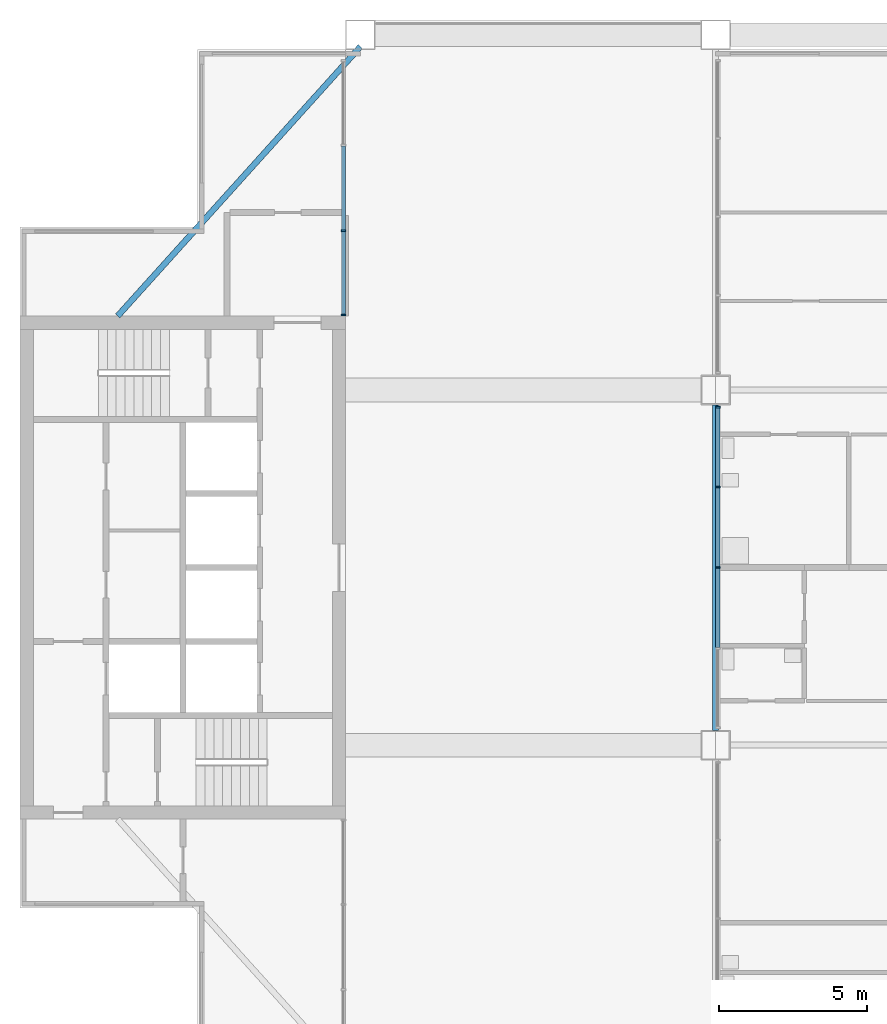
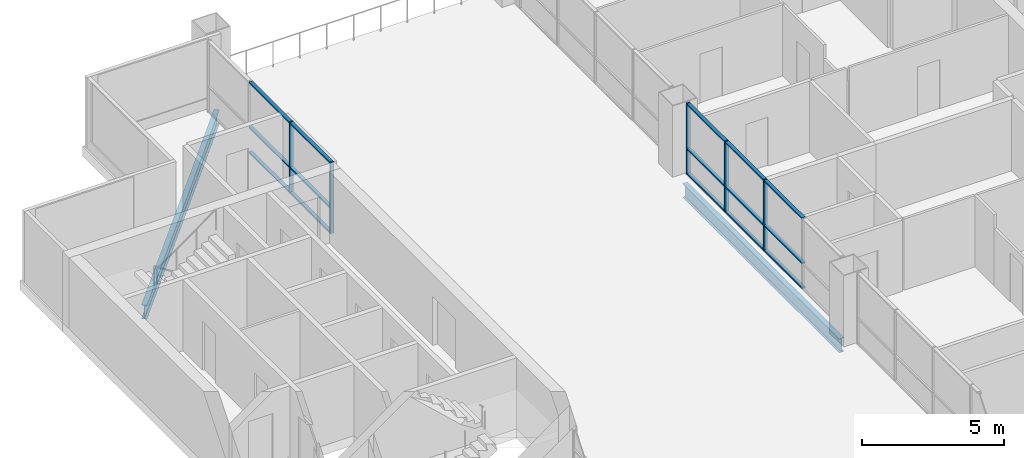
# One storey, part 3 of 12: 20 members, 2 beams, 2 elements without a shape of their own.
"""IFC4 building model written with IfcOpenShell, lengths in metres."""

from ifc_helpers import new_model, si_unit, direction, frame, origin, origin_2d, place, context, subcontext, project, spatial, rectangle, i_section, extrude, material, material_profile, profile_set, type_object, element, aggregate, save


model = new_model("IFC4")

# Units and contexts
model_context = context("Model", 3, precision=1e-05, world=origin(), true_north=direction((0.0, 1.0)))
body_context = subcontext(model_context, "Body", "Model", "MODEL_VIEW")
ifc_project = project(units=[si_unit("LENGTHUNIT", "METRE"), si_unit("AREAUNIT", "SQUARE_METRE"), si_unit("VOLUMEUNIT", "CUBIC_METRE"), si_unit("PLANEANGLEUNIT", "RADIAN"), si_unit("MASSUNIT", "GRAM", prefix="KILO")], contexts=[model_context])

# Site, building, storey
site_placement = place(None, origin())
site = spatial("IfcSite", under=ifc_project, at=site_placement, CompositionType="ELEMENT")
building_placement = place(site_placement, origin())
building = spatial("IfcBuilding", under=site, at=building_placement, Name="Kitamizu Gate Tower and Museum", CompositionType="ELEMENT")
storey_placement = place(building_placement, frame((0.0, 0.0, 249.0)))
storey = spatial("IfcBuildingStorey", under=building, at=storey_placement, Name="L67", CompositionType="ELEMENT", Elevation=249.0)

# Beams
ifc_material_1 = material(Name="Steel SM490A", Category="steel")
ifc_material_profile_1 = material_profile(ifc_material_1, i_section(OverallWidth=0.199951171875, OverallDepth=0.60009765625, WebThickness=0.010986328125, FlangeThickness=0.01708984375, FilletRadius=0.02197265625, at=origin_2d()), Name="H-600x200x11x17")
ifc_profile_set_1 = profile_set([ifc_material_profile_1], Name="Steel SM490A")
beam_type = type_object("IfcBeamType", Name="Floor girder FG1 H 600x200x11x17", PredefinedType="BEAM", material=ifc_profile_set_1)
beam_1_placement = place(storey_placement, frame((36.0, 24.5, -0.699951171875), z_axis=(0.0, 1.0, 0.0), x_axis=(-1.0, 0.0, 0.0)))
element("IfcBeam", 1, at=beam_1_placement, inside=storey, type_object=beam_type, Name="Floor girder FG1 x36 L67", PredefinedType="BEAM", context=body_context, shape_type="SweptSolid", body=[
    extrude(i_section(OverallWidth=0.199951171875, OverallDepth=0.60009765625, WebThickness=0.010986328125, FlangeThickness=0.01708984375, FilletRadius=0.02197265625, at=origin_2d()), origin(), (0.0, 0.0, 1.0), 11.0),
])
beam_2_placement = place(storey_placement, frame((24.0, 47.60009765625, -0.699951171875), z_axis=(-0.669409471884, -0.742893639057, 0.0), x_axis=(0.742893639057, -0.669409471884, 0.0)))
element("IfcBeam", 2, at=beam_2_placement, inside=storey, type_object=beam_type, Name="Portal flank girder N L67", PredefinedType="BEAM", context=body_context, shape_type="SweptSolid", body=[
    extrude(i_section(OverallWidth=0.199951171875, OverallDepth=0.60009765625, WebThickness=0.010986328125, FlangeThickness=0.01708984375, FilletRadius=0.02197265625, at=origin_2d()), origin(), (0.0, 0.0, 1.0), 12.24951171875),
])

# Curtain wall, members
ifc_material_2 = material(Name="Bronze anodised aluminium frame, tinted triple glazing", Category="aluminium")
curtain_wall_type = type_object("IfcCurtainWallType", Name="CURTAIN WALL TYPE C SKY AMENITY", PredefinedType="NOTDEFINED", material=ifc_material_2)
curtain_wall_1_placement = place(storey_placement, origin())
curtain_wall_1 = element("IfcCurtainWall", 3, at=curtain_wall_1_placement, inside=storey, type_object=curtain_wall_type, Name="Curtain wall CW-C portal W L67", PredefinedType="NOTDEFINED")
ifc_material_3 = material(Name="Bronze anodised aluminium", Category="aluminium")
ifc_material_profile_2 = material_profile(ifc_material_3, rectangle(XDim=0.06005859375, YDim=0.14990234375, at=origin_2d()), Name="AL 60X150")
ifc_profile_set_2 = profile_set([ifc_material_profile_2], Name="Bronze anodised aluminium")
member_type_1 = type_object("IfcMemberType", Name="MULLION 60 X 150 TYPE C", PredefinedType="MULLION", material=ifc_profile_set_2)
member_1_placement = place(storey_placement, frame((23.425048828125, 38.530029296875, 0.0), z_axis=(0.0, 0.0, 1.0), x_axis=(0.0, 1.0, 0.0)))
member_1 = element("IfcMember", 4, at=member_1_placement, type_object=member_type_1, Name="CW-C mullion 1", PredefinedType="MULLION", context=body_context, shape_type="SweptSolid", body=[
    extrude(rectangle(XDim=0.06005859375, YDim=0.14990234375, at=origin_2d()), origin(), (0.0, 0.0, 1.0), 3.050048828125),
])
member_2_placement = place(storey_placement, frame((23.425048828125, 41.38330078125, 0.0), z_axis=(0.0, 0.0, 1.0), x_axis=(0.0, 1.0, 0.0)))
member_2 = element("IfcMember", 5, at=member_2_placement, type_object=member_type_1, Name="CW-C mullion 2", PredefinedType="MULLION", context=body_context, shape_type="SweptSolid", body=[
    extrude(rectangle(XDim=0.06005859375, YDim=0.14990234375, at=origin_2d()), origin(), (0.0, 0.0, 1.0), 3.050048828125),
])

curtain_wall_2_placement = place(storey_placement, origin())
curtain_wall_2 = element("IfcCurtainWall", 6, at=curtain_wall_2_placement, inside=storey, type_object=curtain_wall_type, Name="Curtain wall CW-C portal E L67", PredefinedType="NOTDEFINED")
member_3_placement = place(storey_placement, frame((36.074951171875, 30.0, 0.0), z_axis=(0.0, 0.0, 1.0), x_axis=(0.0, 1.0, 0.0)))
member_3 = element("IfcMember", 7, at=member_3_placement, type_object=member_type_1, Name="CW-C mullion 3", PredefinedType="MULLION", context=body_context, shape_type="SweptSolid", body=[
    extrude(rectangle(XDim=0.06005859375, YDim=0.14990234375, at=origin_2d()), origin(), (0.0, 0.0, 1.0), 3.050048828125),
])
member_4_placement = place(storey_placement, frame((36.074951171875, 32.722412109375, 0.0), z_axis=(0.0, 0.0, 1.0), x_axis=(0.0, 1.0, 0.0)))
member_4 = element("IfcMember", 8, at=member_4_placement, type_object=member_type_1, Name="CW-C mullion 4", PredefinedType="MULLION", context=body_context, shape_type="SweptSolid", body=[
    extrude(rectangle(XDim=0.06005859375, YDim=0.14990234375, at=origin_2d()), origin(), (0.0, 0.0, 1.0), 3.050048828125),
])
member_5_placement = place(storey_placement, frame((36.074951171875, 35.4150390625, 0.0), z_axis=(0.0, 0.0, 1.0), x_axis=(0.0, 1.0, 0.0)))
member_5 = element("IfcMember", 9, at=member_5_placement, type_object=member_type_1, Name="CW-C mullion 5", PredefinedType="MULLION", context=body_context, shape_type="SweptSolid", body=[
    extrude(rectangle(XDim=0.06005859375, YDim=0.14990234375, at=origin_2d()), origin(), (0.0, 0.0, 1.0), 3.050048828125),
])

# Member
ifc_material_4 = material(Name="Bronze anodised aluminium", Category="aluminium")
ifc_material_profile_3 = material_profile(ifc_material_4, rectangle(XDim=0.139892578125, YDim=0.06005859375, at=origin_2d()), Name="AL 60X140")
ifc_profile_set_3 = profile_set([ifc_material_profile_3], Name="Bronze anodised aluminium")
member_type_2 = type_object("IfcMemberType", Name="TRANSOM 60 X 140 TYPE C", PredefinedType="USERDEFINED", material=ifc_profile_set_3)
member_6_placement = place(storey_placement, frame((23.425048828125, 38.56005859375, 0.030029296875), z_axis=(0.0, 1.0, 0.0), x_axis=(-1.0, 0.0, 0.0)))
member_6 = element("IfcMember", 10, at=member_6_placement, type_object=member_type_2, Name="CW-C transom 1.1", ObjectType="TRANSOM", PredefinedType="USERDEFINED", context=body_context, shape_type="SweptSolid", body=[
    extrude(rectangle(XDim=0.139892578125, YDim=0.06005859375, at=origin_2d()), origin(), (0.0, 0.0, 1.0), 2.793212890625),
])

member_7_placement = place(storey_placement, frame((23.425048828125, 38.56005859375, 1.10009765625), z_axis=(0.0, 1.0, 0.0), x_axis=(-1.0, 0.0, 0.0)))
member_7 = element("IfcMember", 11, at=member_7_placement, type_object=member_type_2, Name="CW-C transom 1.2", ObjectType="TRANSOM", PredefinedType="USERDEFINED", context=body_context, shape_type="SweptSolid", body=[
    extrude(rectangle(XDim=0.139892578125, YDim=0.06005859375, at=origin_2d()), origin(), (0.0, 0.0, 1.0), 2.793212890625),
])

member_8_placement = place(storey_placement, frame((23.425048828125, 38.56005859375, 3.02001953125), z_axis=(0.0, 1.0, 0.0), x_axis=(-1.0, 0.0, 0.0)))
member_8 = element("IfcMember", 12, at=member_8_placement, type_object=member_type_2, Name="CW-C transom 1.3", ObjectType="TRANSOM", PredefinedType="USERDEFINED", context=body_context, shape_type="SweptSolid", body=[
    extrude(rectangle(XDim=0.139892578125, YDim=0.06005859375, at=origin_2d()), origin(), (0.0, 0.0, 1.0), 2.793212890625),
])

member_9_placement = place(storey_placement, frame((23.425048828125, 41.413330078125, 0.030029296875), z_axis=(0.0, 1.0, 0.0), x_axis=(-1.0, 0.0, 0.0)))
member_9 = element("IfcMember", 13, at=member_9_placement, type_object=member_type_2, Name="CW-C transom 2.1", ObjectType="TRANSOM", PredefinedType="USERDEFINED", context=body_context, shape_type="SweptSolid", body=[
    extrude(rectangle(XDim=0.139892578125, YDim=0.06005859375, at=origin_2d()), origin(), (0.0, 0.0, 1.0), 2.8232421875),
])

member_10_placement = place(storey_placement, frame((23.425048828125, 41.413330078125, 1.10009765625), z_axis=(0.0, 1.0, 0.0), x_axis=(-1.0, 0.0, 0.0)))
member_10 = element("IfcMember", 14, at=member_10_placement, type_object=member_type_2, Name="CW-C transom 2.2", ObjectType="TRANSOM", PredefinedType="USERDEFINED", context=body_context, shape_type="SweptSolid", body=[
    extrude(rectangle(XDim=0.139892578125, YDim=0.06005859375, at=origin_2d()), origin(), (0.0, 0.0, 1.0), 2.8232421875),
])

member_11_placement = place(storey_placement, frame((23.425048828125, 41.413330078125, 3.02001953125), z_axis=(0.0, 1.0, 0.0), x_axis=(-1.0, 0.0, 0.0)))
member_11 = element("IfcMember", 15, at=member_11_placement, type_object=member_type_2, Name="CW-C transom 2.3", ObjectType="TRANSOM", PredefinedType="USERDEFINED", context=body_context, shape_type="SweptSolid", body=[
    extrude(rectangle(XDim=0.139892578125, YDim=0.06005859375, at=origin_2d()), origin(), (0.0, 0.0, 1.0), 2.8232421875),
])

aggregate(curtain_wall_1, [member_1, member_2, member_6, member_7, member_8, member_9, member_10, member_11])

member_12_placement = place(storey_placement, frame((36.074951171875, 27.3076171875, 0.030029296875), z_axis=(0.0, 1.0, 0.0), x_axis=(-1.0, 0.0, 0.0)))
member_12 = element("IfcMember", 16, at=member_12_placement, type_object=member_type_2, Name="CW-C transom 2.1", ObjectType="TRANSOM", PredefinedType="USERDEFINED", context=body_context, shape_type="SweptSolid", body=[
    extrude(rectangle(XDim=0.139892578125, YDim=0.06005859375, at=origin_2d()), origin(), (0.0, 0.0, 1.0), 2.662353515625),
])

member_13_placement = place(storey_placement, frame((36.074951171875, 27.3076171875, 1.10009765625), z_axis=(0.0, 1.0, 0.0), x_axis=(-1.0, 0.0, 0.0)))
member_13 = element("IfcMember", 17, at=member_13_placement, type_object=member_type_2, Name="CW-C transom 2.2", ObjectType="TRANSOM", PredefinedType="USERDEFINED", context=body_context, shape_type="SweptSolid", body=[
    extrude(rectangle(XDim=0.139892578125, YDim=0.06005859375, at=origin_2d()), origin(), (0.0, 0.0, 1.0), 2.662353515625),
])

member_14_placement = place(storey_placement, frame((36.074951171875, 27.3076171875, 3.02001953125), z_axis=(0.0, 1.0, 0.0), x_axis=(-1.0, 0.0, 0.0)))
member_14 = element("IfcMember", 18, at=member_14_placement, type_object=member_type_2, Name="CW-C transom 2.3", ObjectType="TRANSOM", PredefinedType="USERDEFINED", context=body_context, shape_type="SweptSolid", body=[
    extrude(rectangle(XDim=0.139892578125, YDim=0.06005859375, at=origin_2d()), origin(), (0.0, 0.0, 1.0), 2.662353515625),
])

member_15_placement = place(storey_placement, frame((36.074951171875, 30.030029296875, 0.030029296875), z_axis=(0.0, 1.0, 0.0), x_axis=(-1.0, 0.0, 0.0)))
member_15 = element("IfcMember", 19, at=member_15_placement, type_object=member_type_2, Name="CW-C transom 3.1", ObjectType="TRANSOM", PredefinedType="USERDEFINED", context=body_context, shape_type="SweptSolid", body=[
    extrude(rectangle(XDim=0.139892578125, YDim=0.06005859375, at=origin_2d()), origin(), (0.0, 0.0, 1.0), 2.662353515625),
])

member_16_placement = place(storey_placement, frame((36.074951171875, 30.030029296875, 1.10009765625), z_axis=(0.0, 1.0, 0.0), x_axis=(-1.0, 0.0, 0.0)))
member_16 = element("IfcMember", 20, at=member_16_placement, type_object=member_type_2, Name="CW-C transom 3.2", ObjectType="TRANSOM", PredefinedType="USERDEFINED", context=body_context, shape_type="SweptSolid", body=[
    extrude(rectangle(XDim=0.139892578125, YDim=0.06005859375, at=origin_2d()), origin(), (0.0, 0.0, 1.0), 2.662353515625),
])

member_17_placement = place(storey_placement, frame((36.074951171875, 30.030029296875, 3.02001953125), z_axis=(0.0, 1.0, 0.0), x_axis=(-1.0, 0.0, 0.0)))
member_17 = element("IfcMember", 21, at=member_17_placement, type_object=member_type_2, Name="CW-C transom 3.3", ObjectType="TRANSOM", PredefinedType="USERDEFINED", context=body_context, shape_type="SweptSolid", body=[
    extrude(rectangle(XDim=0.139892578125, YDim=0.06005859375, at=origin_2d()), origin(), (0.0, 0.0, 1.0), 2.662353515625),
])

member_18_placement = place(storey_placement, frame((36.074951171875, 32.75244140625, 0.030029296875), z_axis=(0.0, 1.0, 0.0), x_axis=(-1.0, 0.0, 0.0)))
member_18 = element("IfcMember", 22, at=member_18_placement, type_object=member_type_2, Name="CW-C transom 4.1", ObjectType="TRANSOM", PredefinedType="USERDEFINED", context=body_context, shape_type="SweptSolid", body=[
    extrude(rectangle(XDim=0.139892578125, YDim=0.06005859375, at=origin_2d()), origin(), (0.0, 0.0, 1.0), 2.632568359375),
])

member_19_placement = place(storey_placement, frame((36.074951171875, 32.75244140625, 1.10009765625), z_axis=(0.0, 1.0, 0.0), x_axis=(-1.0, 0.0, 0.0)))
member_19 = element("IfcMember", 23, at=member_19_placement, type_object=member_type_2, Name="CW-C transom 4.2", ObjectType="TRANSOM", PredefinedType="USERDEFINED", context=body_context, shape_type="SweptSolid", body=[
    extrude(rectangle(XDim=0.139892578125, YDim=0.06005859375, at=origin_2d()), origin(), (0.0, 0.0, 1.0), 2.632568359375),
])

member_20_placement = place(storey_placement, frame((36.074951171875, 32.75244140625, 3.02001953125), z_axis=(0.0, 1.0, 0.0), x_axis=(-1.0, 0.0, 0.0)))
member_20 = element("IfcMember", 24, at=member_20_placement, type_object=member_type_2, Name="CW-C transom 4.3", ObjectType="TRANSOM", PredefinedType="USERDEFINED", context=body_context, shape_type="SweptSolid", body=[
    extrude(rectangle(XDim=0.139892578125, YDim=0.06005859375, at=origin_2d()), origin(), (0.0, 0.0, 1.0), 2.632568359375),
])

aggregate(curtain_wall_2, [member_3, member_4, member_5, member_12, member_13, member_14, member_15, member_16, member_17, member_18, member_19, member_20])

save(model, "model.ifc")
